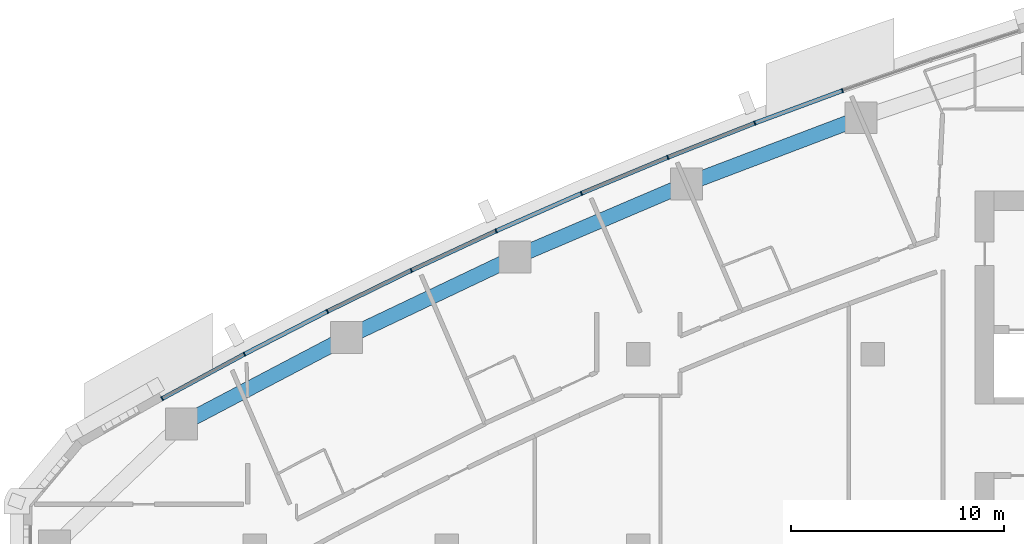
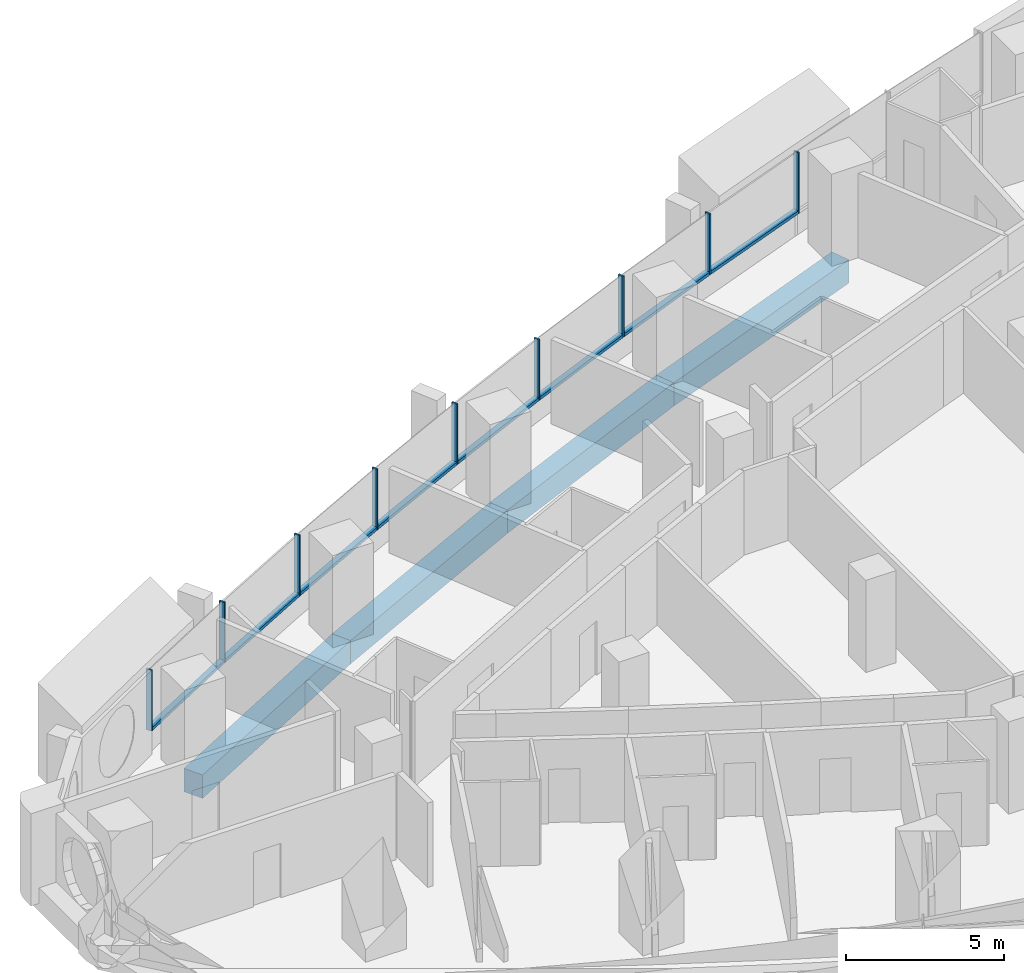
# One storey, part 5 of 17: 17 members, 4 beams, 5 elements without a shape of their own.
"""IFC4 building model written with IfcOpenShell, lengths in metres."""

from ifc_helpers import new_model, si_unit, direction, frame, origin, origin_2d, place, context, subcontext, project, spatial, rectangle, extrude, material, layer, layer_set, material_profile, profile_set, type_object, element, aggregate, save


model = new_model("IFC4")

# Units and contexts
model_context = context("Model", 3, precision=1e-05, world=origin(), true_north=direction((0.0, 1.0)))
body_context = subcontext(model_context, "Body", "Model", "MODEL_VIEW")
ifc_project = project(units=[si_unit("LENGTHUNIT", "METRE"), si_unit("AREAUNIT", "SQUARE_METRE"), si_unit("VOLUMEUNIT", "CUBIC_METRE"), si_unit("PLANEANGLEUNIT", "RADIAN"), si_unit("MASSUNIT", "GRAM", prefix="KILO")], contexts=[model_context])

# Site, building, storey
site_placement = place(None, origin())
site = spatial("IfcSite", under=ifc_project, at=site_placement, CompositionType="ELEMENT")
building_placement = place(site_placement, origin())
building = spatial("IfcBuilding", under=site, at=building_placement, Name="Ostrand Prow Hotel Tower", CompositionType="ELEMENT")
storey_placement = place(building_placement, frame((0.0, 0.0, 155.050048828125)))
storey = spatial("IfcBuildingStorey", under=building, at=storey_placement, Name="L38", CompositionType="ELEMENT", Elevation=155.050048828125)

# Beams
ifc_material_1 = material(Name="Concrete C70/85", Category="concrete")
ifc_material_profile_1 = material_profile(ifc_material_1, rectangle(XDim=0.699951171875, YDim=0.89990234375, at=origin_2d()), Name="RC 700x900")
ifc_profile_set_1 = profile_set([ifc_material_profile_1], Name="Concrete C70/85")
beam_type = type_object("IfcBeamType", Name="Edge beam 700x900 C70/85", PredefinedType="SPANDREL", material=ifc_profile_set_1)
for number, where, z_axis, x_axis, name in (
    (1, (44.438232421875, 20.093017578125, -0.75), (-0.93479358236, -0.355191439055, 0.0), (0.355191439055, -0.93479358236, 0.0), "Edge beam N2-N3"),
    (2, (36.255615234375, 16.98388671875, -0.75), (-0.919700966994, -0.392619575811, 0.0), (0.392619575811, -0.919700966994, 0.0), "Edge beam N3-N4"),
    (3, (28.205078125, 13.547119140625, -0.75), (-0.903083113352, -0.429465819803, 0.0), (0.429465819803, -0.903083113352, 0.0), "Edge beam N4-N5"),
    (4, (20.300048828125, 9.787841796875, -0.75), (-0.885016215308, -0.465560198731, 0.0), (0.465560198731, -0.885016215308, 0.0), "Edge beam N5-N6"),
):
    element("IfcBeam", number, at=place(storey_placement, frame(where, z_axis=z_axis, x_axis=x_axis)), inside=storey, type_object=beam_type, Name=name, PredefinedType="SPANDREL", context=body_context, shape_type="SweptSolid", body=[
        extrude(rectangle(XDim=0.699951171875, YDim=0.89990234375, at=origin_2d()), origin(), (0.0, 0.0, 1.0), 8.75341796875),
    ])

# Curtain wall, member
ifc_material_2 = material(Name="Insulated glass in bronze anodised frame", Category="glass")
ifc_layer = layer(ifc_material_2, 0.199951171875)
ifc_layer_set = layer_set([ifc_layer], Name="Insulated glass in bronze anodised frame")
curtain_wall_type = type_object("IfcCurtainWallType", Name="Strip curtain wall, fritted glass over bronze spandrel", PredefinedType="NOTDEFINED", material=ifc_layer_set)
curtain_wall_1_placement = place(storey_placement, origin())
curtain_wall_1 = element("IfcCurtainWall", 5, at=curtain_wall_1_placement, inside=storey, type_object=curtain_wall_type, Name="CW1 run CWN1", PredefinedType="NOTDEFINED")
ifc_material_3 = material(Name="Bronze anodised aluminium", Category="aluminium")
ifc_material_profile_2 = material_profile(ifc_material_3, rectangle(XDim=0.199951171875, YDim=0.06005859375, at=origin_2d()), Name="Mullion 60x200 bronze anodised aluminium")
ifc_profile_set_2 = profile_set([ifc_material_profile_2], Name="Bronze anodised aluminium")
member_type_1 = type_object("IfcMemberType", Name="Mullion 60x200 bronze anodised aluminium", PredefinedType="MULLION", material=ifc_profile_set_2)
member_1_placement = place(storey_placement, frame((43.5751953125, 21.3642578125, 0.89990234375), z_axis=(0.0, 0.0, 1.0), x_axis=(0.328428177424, -0.944528947293, 0.0)))
member_1 = element("IfcMember", 6, at=member_1_placement, type_object=member_type_1, Name="CW1 mullion 3", PredefinedType="MULLION", context=body_context, shape_type="SweptSolid", body=[
    extrude(rectangle(XDim=0.199951171875, YDim=0.06005859375, at=origin_2d()), origin(), (0.0, 0.0, 1.0), 2.35009765625),
])
aggregate(curtain_wall_1, [member_1])

# Curtain wall, members
curtain_wall_2_placement = place(storey_placement, origin())
curtain_wall_2 = element("IfcCurtainWall", 7, at=curtain_wall_2_placement, inside=storey, type_object=curtain_wall_type, Name="CW1 run CWN2", PredefinedType="NOTDEFINED")
member_2_placement = place(storey_placement, frame((39.462158203125, 19.8408203125, 0.89990234375), z_axis=(0.0, 0.0, 1.0), x_axis=(0.366116334636, -0.930569089059, 0.0)))
member_2 = element("IfcMember", 8, at=member_2_placement, type_object=member_type_1, Name="CW1 mullion 2", PredefinedType="MULLION", context=body_context, shape_type="SweptSolid", body=[
    extrude(rectangle(XDim=0.199951171875, YDim=0.06005859375, at=origin_2d()), origin(), (0.0, 0.0, 1.0), 2.35009765625),
])
member_3_placement = place(storey_placement, frame((35.380615234375, 18.235107421875, 0.89990234375), z_axis=(0.0, 0.0, 1.0), x_axis=(0.366116334636, -0.930569089059, 0.0)))
member_3 = element("IfcMember", 9, at=member_3_placement, type_object=member_type_1, Name="CW1 mullion 3", PredefinedType="MULLION", context=body_context, shape_type="SweptSolid", body=[
    extrude(rectangle(XDim=0.199951171875, YDim=0.06005859375, at=origin_2d()), origin(), (0.0, 0.0, 1.0), 2.35009765625),
])

curtain_wall_3_placement = place(storey_placement, origin())
curtain_wall_3 = element("IfcCurtainWall", 10, at=curtain_wall_3_placement, inside=storey, type_object=curtain_wall_type, Name="CW1 run CWN3", PredefinedType="NOTDEFINED")
member_4_placement = place(storey_placement, frame((31.332275390625, 16.54736328125, 0.89990234375), z_axis=(0.0, 0.0, 1.0), x_axis=(0.403213113347, -0.915106105993, 0.0)))
member_4 = element("IfcMember", 11, at=member_4_placement, type_object=member_type_1, Name="CW1 mullion 2", PredefinedType="MULLION", context=body_context, shape_type="SweptSolid", body=[
    extrude(rectangle(XDim=0.199951171875, YDim=0.06005859375, at=origin_2d()), origin(), (0.0, 0.0, 1.0), 2.35009765625),
])
member_5_placement = place(storey_placement, frame((27.318359375, 14.77880859375, 0.89990234375), z_axis=(0.0, 0.0, 1.0), x_axis=(0.403213113347, -0.915106105993, 0.0)))
member_5 = element("IfcMember", 12, at=member_5_placement, type_object=member_type_1, Name="CW1 mullion 3", PredefinedType="MULLION", context=body_context, shape_type="SweptSolid", body=[
    extrude(rectangle(XDim=0.199951171875, YDim=0.06005859375, at=origin_2d()), origin(), (0.0, 0.0, 1.0), 2.35009765625),
])

curtain_wall_4_placement = place(storey_placement, origin())
curtain_wall_4 = element("IfcCurtainWall", 13, at=curtain_wall_4_placement, inside=storey, type_object=curtain_wall_type, Name="CW1 run CWN4", PredefinedType="NOTDEFINED")
member_6_placement = place(storey_placement, frame((23.341064453125, 12.93017578125, 0.89990234375), z_axis=(0.0, 0.0, 1.0), x_axis=(0.439658592061, -0.898164975061, 0.0)))
member_6 = element("IfcMember", 14, at=member_6_placement, type_object=member_type_1, Name="CW1 mullion 2", PredefinedType="MULLION", context=body_context, shape_type="SweptSolid", body=[
    extrude(rectangle(XDim=0.199951171875, YDim=0.06005859375, at=origin_2d()), origin(), (0.0, 0.0, 1.0), 2.35009765625),
])
member_7_placement = place(storey_placement, frame((19.401611328125, 11.001708984375, 0.89990234375), z_axis=(0.0, 0.0, 1.0), x_axis=(0.439658592061, -0.898164975061, 0.0)))
member_7 = element("IfcMember", 15, at=member_7_placement, type_object=member_type_1, Name="CW1 mullion 3", PredefinedType="MULLION", context=body_context, shape_type="SweptSolid", body=[
    extrude(rectangle(XDim=0.199951171875, YDim=0.06005859375, at=origin_2d()), origin(), (0.0, 0.0, 1.0), 2.35009765625),
])

curtain_wall_5_placement = place(storey_placement, origin())
curtain_wall_5 = element("IfcCurtainWall", 16, at=curtain_wall_5_placement, inside=storey, type_object=curtain_wall_type, Name="CW1 run CWN5", PredefinedType="NOTDEFINED")
member_8_placement = place(storey_placement, frame((15.501708984375, 8.99462890625, 0.89990234375), z_axis=(0.0, 0.0, 1.0), x_axis=(0.475393901316, -0.879773060847, 0.0)))
member_8 = element("IfcMember", 17, at=member_8_placement, type_object=member_type_1, Name="CW1 mullion 2", PredefinedType="MULLION", context=body_context, shape_type="SweptSolid", body=[
    extrude(rectangle(XDim=0.199951171875, YDim=0.06005859375, at=origin_2d()), origin(), (0.0, 0.0, 1.0), 2.35009765625),
])
member_9_placement = place(storey_placement, frame((11.64306640625, 6.909423828125, 0.89990234375), z_axis=(0.0, 0.0, 1.0), x_axis=(0.475393901316, -0.879773060847, 0.0)))
member_9 = element("IfcMember", 18, at=member_9_placement, type_object=member_type_1, Name="CW1 mullion 3", PredefinedType="MULLION", context=body_context, shape_type="SweptSolid", body=[
    extrude(rectangle(XDim=0.199951171875, YDim=0.06005859375, at=origin_2d()), origin(), (0.0, 0.0, 1.0), 2.35009765625),
])

# Member
ifc_material_4 = material(Name="Bronze anodised aluminium", Category="aluminium")
ifc_material_profile_3 = material_profile(ifc_material_4, rectangle(XDim=0.199951171875, YDim=0.1201171875, at=origin_2d()), Name="Transom 120x200 bronze anodised aluminium")
ifc_profile_set_3 = profile_set([ifc_material_profile_3], Name="Bronze anodised aluminium")
member_type_2 = type_object("IfcMemberType", Name="Transom 120x200 bronze anodised aluminium", PredefinedType="USERDEFINED", material=ifc_profile_set_3)
member_10_placement = place(storey_placement, frame((43.547119140625, 21.353759765625, 0.9599609375), z_axis=(-0.937756929379, -0.347292299657, 0.0), x_axis=(0.347292299657, -0.937756929379, 0.0)))
member_10 = element("IfcMember", 19, at=member_10_placement, type_object=member_type_2, Name="CW1 transom 1.1", ObjectType="TRANSOM", PredefinedType="USERDEFINED", context=body_context, shape_type="SweptSolid", body=[
    extrude(rectangle(XDim=0.199951171875, YDim=0.1201171875, at=origin_2d()), origin(), (0.0, 0.0, 1.0), 4.326171875),
])

member_11_placement = place(storey_placement, frame((39.434326171875, 19.829833984375, 0.9599609375), z_axis=(-0.930563430162, -0.366130717701, 0.0), x_axis=(0.366130717701, -0.930563430162, 0.0)))
member_11 = element("IfcMember", 20, at=member_11_placement, type_object=member_type_2, Name="CW1 transom 2.1", ObjectType="TRANSOM", PredefinedType="USERDEFINED", context=body_context, shape_type="SweptSolid", body=[
    extrude(rectangle(XDim=0.199951171875, YDim=0.1201171875, at=origin_2d()), origin(), (0.0, 0.0, 1.0), 4.326171875),
])

aggregate(curtain_wall_2, [member_2, member_3, member_10, member_11])

member_12_placement = place(storey_placement, frame((35.352783203125, 18.223388671875, 0.9599609375), z_axis=(-0.923028493412, -0.384731595206, 0.0), x_axis=(0.384731595206, -0.923028493412, 0.0)))
member_12 = element("IfcMember", 21, at=member_12_placement, type_object=member_type_2, Name="CW1 transom 1.1", ObjectType="TRANSOM", PredefinedType="USERDEFINED", context=body_context, shape_type="SweptSolid", body=[
    extrude(rectangle(XDim=0.199951171875, YDim=0.1201171875, at=origin_2d()), origin(), (0.0, 0.0, 1.0), 4.325927734375),
])

member_13_placement = place(storey_placement, frame((31.3046875, 16.535400390625, 0.9599609375), z_axis=(-0.91509853977, -0.403230284715, 0.0), x_axis=(0.403230284715, -0.91509853977, 0.0)))
member_13 = element("IfcMember", 22, at=member_13_placement, type_object=member_type_2, Name="CW1 transom 2.1", ObjectType="TRANSOM", PredefinedType="USERDEFINED", context=body_context, shape_type="SweptSolid", body=[
    extrude(rectangle(XDim=0.199951171875, YDim=0.1201171875, at=origin_2d()), origin(), (0.0, 0.0, 1.0), 4.325927734375),
])

aggregate(curtain_wall_3, [member_4, member_5, member_12, member_13])

member_14_placement = place(storey_placement, frame((27.291259765625, 14.766357421875, 0.9599609375), z_axis=(-0.906796377468, -0.421568890944, 0.0), x_axis=(0.421568890944, -0.906796377468, 0.0)))
member_14 = element("IfcMember", 23, at=member_14_placement, type_object=member_type_2, Name="CW1 transom 1.1", ObjectType="TRANSOM", PredefinedType="USERDEFINED", context=body_context, shape_type="SweptSolid", body=[
    extrude(rectangle(XDim=0.199951171875, YDim=0.1201171875, at=origin_2d()), origin(), (0.0, 0.0, 1.0), 4.326171875),
])

member_15_placement = place(storey_placement, frame((23.314208984375, 12.9169921875, 0.9599609375), z_axis=(-0.89815413626, -0.439680733623, 0.0), x_axis=(0.439680733623, -0.89815413626, 0.0)))
member_15 = element("IfcMember", 24, at=member_15_placement, type_object=member_type_2, Name="CW1 transom 2.1", ObjectType="TRANSOM", PredefinedType="USERDEFINED", context=body_context, shape_type="SweptSolid", body=[
    extrude(rectangle(XDim=0.199951171875, YDim=0.1201171875, at=origin_2d()), origin(), (0.0, 0.0, 1.0), 4.326171875),
])

aggregate(curtain_wall_4, [member_6, member_7, member_14, member_15])

member_16_placement = place(storey_placement, frame((19.375, 10.988037109375, 0.9599609375), z_axis=(-0.88914020052, -0.457634902318, 0.0), x_axis=(0.457634902318, -0.88914020052, 0.0)))
member_16 = element("IfcMember", 25, at=member_16_placement, type_object=member_type_2, Name="CW1 transom 1.1", ObjectType="TRANSOM", PredefinedType="USERDEFINED", context=body_context, shape_type="SweptSolid", body=[
    extrude(rectangle(XDim=0.199951171875, YDim=0.1201171875, at=origin_2d()), origin(), (0.0, 0.0, 1.0), 4.325927734375),
])

member_17_placement = place(storey_placement, frame((15.475341796875, 8.980224609375, 0.9599609375), z_axis=(-0.879765206929, -0.475408435639, 0.0), x_axis=(0.475408435639, -0.879765206929, 0.0)))
member_17 = element("IfcMember", 26, at=member_17_placement, type_object=member_type_2, Name="CW1 transom 2.1", ObjectType="TRANSOM", PredefinedType="USERDEFINED", context=body_context, shape_type="SweptSolid", body=[
    extrude(rectangle(XDim=0.199951171875, YDim=0.1201171875, at=origin_2d()), origin(), (0.0, 0.0, 1.0), 4.326171875),
])

aggregate(curtain_wall_5, [member_8, member_9, member_16, member_17])

save(model, "model.ifc")
